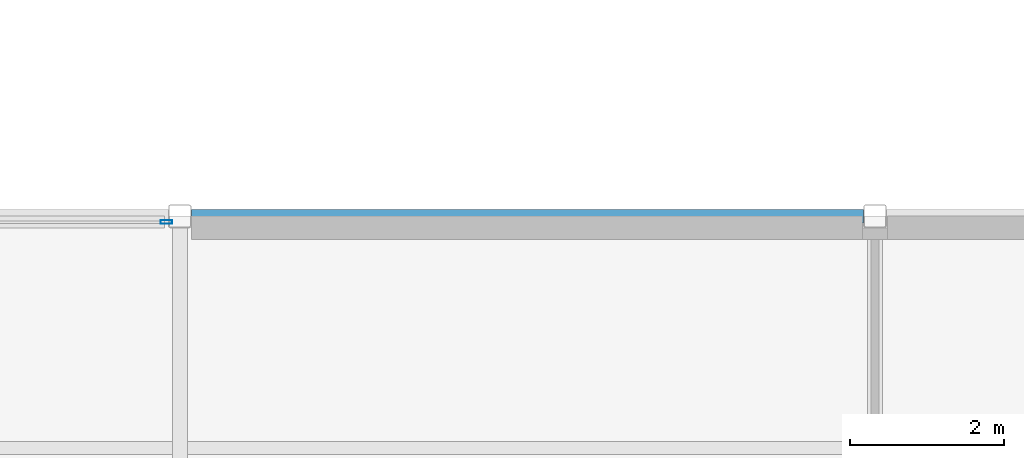
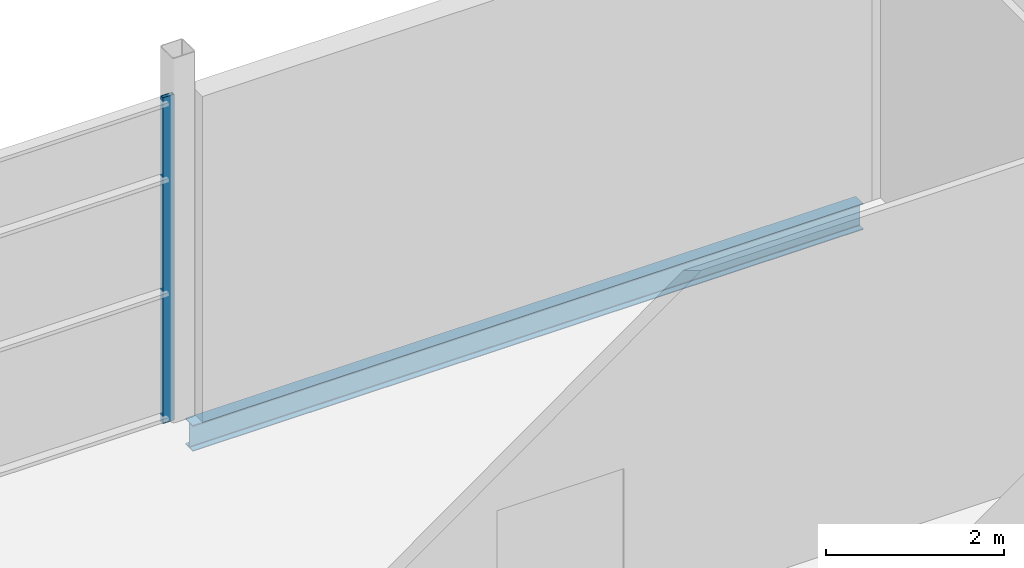
# One storey, part 33 of 112: 1 beam, 1 member, 1 element without a shape of its own.
"""IFC4 building model written with IfcOpenShell, lengths in metres."""

from ifc_helpers import new_model, si_unit, direction, frame, origin, origin_2d, place, context, subcontext, project, spatial, hollow_rectangle, i_section, extrude, material, layer, layer_set, material_profile, profile_set, type_object, element, aggregate, save


model = new_model("IFC4")

# Units and contexts
model_context = context("Model", 3, precision=1e-05, world=origin(), true_north=direction((0.0, 1.0)))
body_context = subcontext(model_context, "Body", "Model", "MODEL_VIEW")
ifc_project = project(units=[si_unit("LENGTHUNIT", "METRE"), si_unit("AREAUNIT", "SQUARE_METRE"), si_unit("VOLUMEUNIT", "CUBIC_METRE"), si_unit("PLANEANGLEUNIT", "RADIAN"), si_unit("MASSUNIT", "GRAM", prefix="KILO")], contexts=[model_context])

# Site, building, storey
site_placement = place(None, origin())
site = spatial("IfcSite", under=ifc_project, at=site_placement, CompositionType="ELEMENT")
building_placement = place(site_placement, origin())
building = spatial("IfcBuilding", under=site, at=building_placement, Name="Shorebreak Coast Museum", CompositionType="ELEMENT")
storey_placement = place(building_placement, frame((0.0, 0.0, 6.0)))
storey = spatial("IfcBuildingStorey", under=building, at=storey_placement, Name="L01", CompositionType="ELEMENT", Elevation=6.0)

# Beam
ifc_material_1 = material(Name="Steel Grade 300", Category="steel")
ifc_material_profile_1 = material_profile(ifc_material_1, i_section(OverallWidth=0.1708984375, OverallDepth=0.355712890625, WebThickness=0.00732421875, FlangeThickness=0.011474609375, FilletRadius=0.011474609375, at=origin_2d()), Name="360UB50.7")
ifc_profile_set_1 = profile_set([ifc_material_profile_1], Name="Steel Grade 300")
beam_type = type_object("IfcBeamType", Name="Floor girder east-west 360UB50.7", PredefinedType="BEAM", material=ifc_profile_set_1)
beam_placement = place(storey_placement, frame((18.14990234375, 90.0, -0.352783203125), z_axis=(1.0, 0.0, 0.0), x_axis=(0.0, 1.0, 0.0)))
element("IfcBeam", 1, at=beam_placement, inside=storey, type_object=beam_type, Name="Floor girder east-west L01 3L", PredefinedType="BEAM", context=body_context, shape_type="SweptSolid", body=[
    extrude(i_section(OverallWidth=0.1708984375, OverallDepth=0.355712890625, WebThickness=0.00732421875, FlangeThickness=0.011474609375, FilletRadius=0.011474609375, at=origin_2d()), origin(), (0.0, 0.0, 1.0), 8.7001953125),
])

# Curtain wall, member
ifc_material_2 = material(Name="Aluminium", Category="aluminium")
ifc_layer = layer(ifc_material_2, 0.14990234375)
ifc_layer_set = layer_set([ifc_layer], Name="Aluminium")
curtain_wall_type = type_object("IfcCurtainWallType", Name="Storefront curtain wall", PredefinedType="NOTDEFINED", material=ifc_layer_set)
curtain_wall_placement = place(storey_placement, origin())
curtain_wall = element("IfcCurtainWall", 2, at=curtain_wall_placement, inside=storey, type_object=curtain_wall_type, Name="Storefront L01 N 12", PredefinedType="NOTDEFINED")
ifc_material_3 = material(Name="Aluminium", Category="aluminium")
ifc_material_profile_2 = material_profile(ifc_material_3, hollow_rectangle(XDim=0.050048828125, YDim=0.14990234375, WallThickness=0.00390625, at=origin_2d()), Name="AL 150x50 RHS")
ifc_profile_set_2 = profile_set([ifc_material_profile_2], Name="Aluminium")
member_type = type_object("IfcMemberType", Name="Storefront mullion 50 x 150", PredefinedType="MULLION", material=ifc_profile_set_2)
member_placement = place(storey_placement, frame((17.824951171875, 89.925048828125, 0.0), z_axis=(0.0, 0.0, 1.0), x_axis=(0.0, 1.0, 0.0)))
member = element("IfcMember", 3, at=member_placement, type_object=member_type, Name="CW8 mullion 4", PredefinedType="MULLION", context=body_context, shape_type="SweptSolid", body=[
    extrude(hollow_rectangle(XDim=0.050048828125, YDim=0.14990234375, WallThickness=0.00390625, at=origin_2d()), origin(), (0.0, 0.0, 1.0), 4.469482421875),
])
aggregate(curtain_wall, [member])

save(model, "model.ifc")
